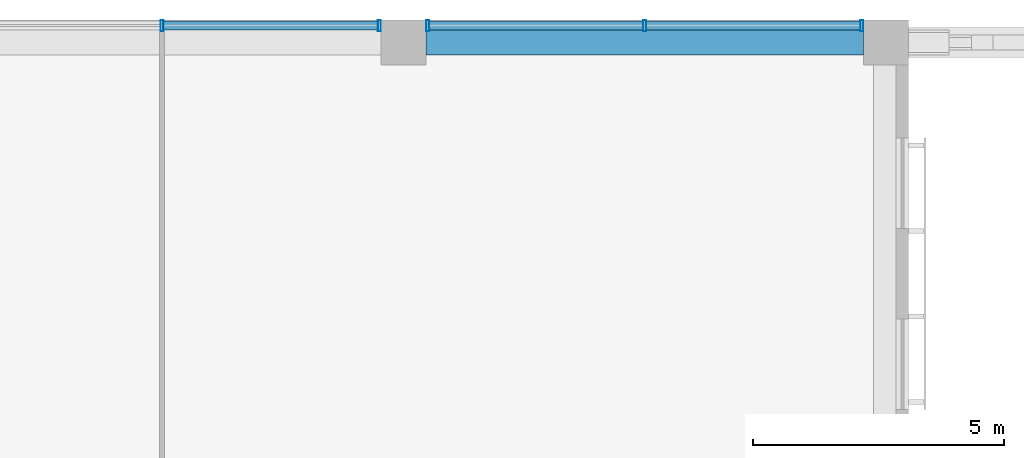
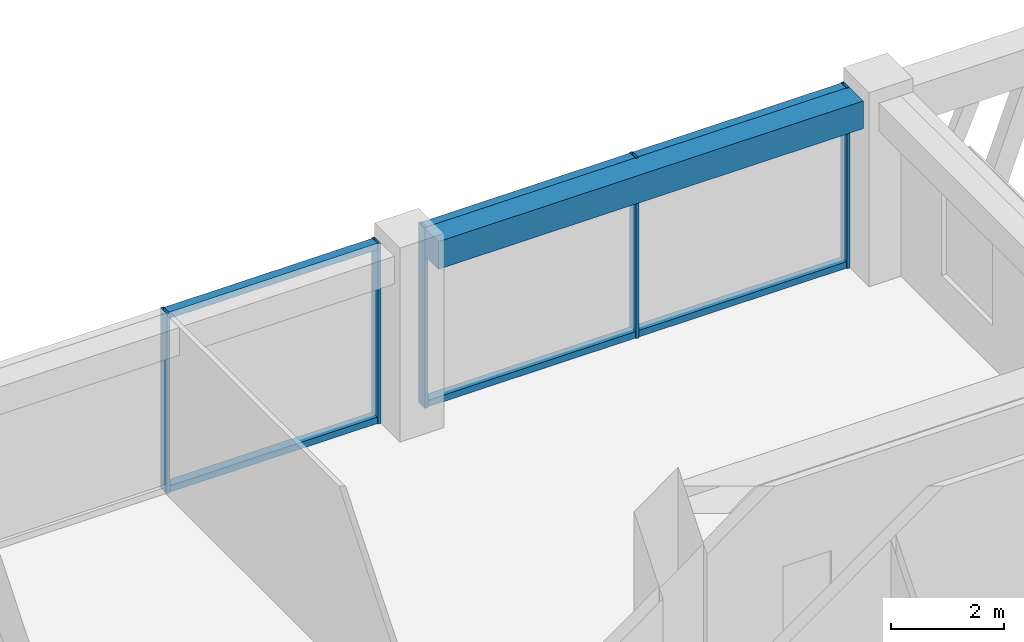
# One storey, part 25 of 38: 11 members, 1 beam, 2 elements without a shape of their own.
"""IFC4 building model written with IfcOpenShell, lengths in metres."""

from ifc_helpers import new_model, si_unit, direction, frame, origin, origin_2d, place, context, subcontext, project, spatial, rectangle, hollow_rectangle, extrude, material, layer, layer_set, material_profile, profile_set, type_object, element, aggregate, save


model = new_model("IFC4")

# Units and contexts
model_context = context("Model", 3, precision=1e-05, world=origin(), true_north=direction((0.0, 1.0)))
body_context = subcontext(model_context, "Body", "Model", "MODEL_VIEW")
ifc_project = project(units=[si_unit("LENGTHUNIT", "METRE"), si_unit("AREAUNIT", "SQUARE_METRE"), si_unit("VOLUMEUNIT", "CUBIC_METRE"), si_unit("PLANEANGLEUNIT", "RADIAN"), si_unit("MASSUNIT", "GRAM", prefix="KILO")], contexts=[model_context])

# Site, building, storey
site_placement = place(None, origin())
site = spatial("IfcSite", under=ifc_project, at=site_placement, CompositionType="ELEMENT")
building_placement = place(site_placement, origin())
building = spatial("IfcBuilding", under=site, at=building_placement, Name="Nzadi Deep Aquarium and Research Tower", CompositionType="ELEMENT")
storey_placement = place(building_placement, frame((0.0, 0.0, 48.699951171875)))
storey = spatial("IfcBuildingStorey", under=building, at=storey_placement, Name="L09", CompositionType="ELEMENT", Elevation=48.699951171875)

# Curtain wall, members
ifc_material_1 = material(Name="Aluminium unitised frame deep", Category="aluminium")
ifc_layer = layer(ifc_material_1, 0.22509765625)
ifc_layer_set = layer_set([ifc_layer], Name="Aluminium unitised frame deep")
curtain_wall_type = type_object("IfcCurtainWallType", Name="Curtain wall Unitised Deep 225", PredefinedType="NOTDEFINED", material=ifc_layer_set)
curtain_wall_1_placement = place(storey_placement, origin())
curtain_wall_1 = element("IfcCurtainWall", 1, at=curtain_wall_1_placement, inside=storey, type_object=curtain_wall_type, Name="Unitised curtain wall blade B north L09", PredefinedType="NOTDEFINED")
ifc_material_2 = material(Name="Aluminium unitised frame deep", Category="aluminium")
ifc_material_profile_1 = material_profile(ifc_material_2, hollow_rectangle(XDim=0.22509765625, YDim=0.06005859375, WallThickness=0.0048828125, at=origin_2d()))
ifc_profile_set_1 = profile_set([ifc_material_profile_1], Name="Aluminium unitised frame deep")
member_type_1 = type_object("IfcMemberType", Name="Mullion 60x225 Unitised Deep", PredefinedType="MULLION", material=ifc_profile_set_1)
member_1_placement = place(storey_placement, frame((33.60009765625, 46.33740234375, 0.0), z_axis=(0.0, 0.0, 1.0), x_axis=(0.0, 1.0, 0.0)))
member_1 = element("IfcMember", 2, at=member_1_placement, type_object=member_type_1, Name="CW126 mullion 2", PredefinedType="MULLION", context=body_context, shape_type="SweptSolid", body=[
    extrude(hollow_rectangle(XDim=0.22509765625, YDim=0.06005859375, WallThickness=0.0048828125, at=origin_2d()), origin(), (0.0, 0.0, 1.0), 3.900146484375),
])
member_2_placement = place(storey_placement, frame((37.919921875, 46.33740234375, 0.0), z_axis=(0.0, 0.0, 1.0), x_axis=(0.0, 1.0, 0.0)))
member_2 = element("IfcMember", 3, at=member_2_placement, type_object=member_type_1, Name="CW126 mullion 3", PredefinedType="MULLION", context=body_context, shape_type="SweptSolid", body=[
    extrude(hollow_rectangle(XDim=0.22509765625, YDim=0.06005859375, WallThickness=0.0048828125, at=origin_2d()), origin(), (0.0, 0.0, 1.0), 3.900146484375),
])

curtain_wall_2_placement = place(storey_placement, origin())
curtain_wall_2 = element("IfcCurtainWall", 4, at=curtain_wall_2_placement, inside=storey, type_object=curtain_wall_type, Name="Unitised curtain wall blade B north L09", PredefinedType="NOTDEFINED")
member_3_placement = place(storey_placement, frame((38.8798828125, 46.33740234375, 0.0), z_axis=(0.0, 0.0, 1.0), x_axis=(0.0, 1.0, 0.0)))
member_3 = element("IfcMember", 5, at=member_3_placement, type_object=member_type_1, Name="CW127 mullion 1", PredefinedType="MULLION", context=body_context, shape_type="SweptSolid", body=[
    extrude(hollow_rectangle(XDim=0.22509765625, YDim=0.06005859375, WallThickness=0.0048828125, at=origin_2d()), origin(), (0.0, 0.0, 1.0), 3.900146484375),
])
member_4_placement = place(storey_placement, frame((43.199951171875, 46.33740234375, 0.0), z_axis=(0.0, 0.0, 1.0), x_axis=(0.0, 1.0, 0.0)))
member_4 = element("IfcMember", 6, at=member_4_placement, type_object=member_type_1, Name="CW127 mullion 2", PredefinedType="MULLION", context=body_context, shape_type="SweptSolid", body=[
    extrude(hollow_rectangle(XDim=0.22509765625, YDim=0.06005859375, WallThickness=0.0048828125, at=origin_2d()), origin(), (0.0, 0.0, 1.0), 3.900146484375),
])
member_5_placement = place(storey_placement, frame((47.52001953125, 46.33740234375, 0.0), z_axis=(0.0, 0.0, 1.0), x_axis=(0.0, 1.0, 0.0)))
member_5 = element("IfcMember", 7, at=member_5_placement, type_object=member_type_1, Name="CW127 mullion 3", PredefinedType="MULLION", context=body_context, shape_type="SweptSolid", body=[
    extrude(hollow_rectangle(XDim=0.22509765625, YDim=0.06005859375, WallThickness=0.0048828125, at=origin_2d()), origin(), (0.0, 0.0, 1.0), 3.900146484375),
])

# Beam
ifc_material_3 = material(Name="Concrete C35/45", Category="concrete")
ifc_material_profile_2 = material_profile(ifc_material_3, rectangle(XDim=0.5, YDim=0.60009765625, at=origin_2d()))
ifc_profile_set_2 = profile_set([ifc_material_profile_2], Name="Concrete C35/45")
beam_type = type_object("IfcBeamType", Name="RC 500x600", PredefinedType="BEAM", material=ifc_profile_set_2)
beam_placement = place(storey_placement, frame((38.85009765625, 46.0, 3.60009765625), z_axis=(1.0, 0.0, 0.0), x_axis=(0.0, 1.0, 0.0)))
element("IfcBeam", 8, at=beam_placement, inside=storey, type_object=beam_type, Name="B-Z1-L09-L6-5", PredefinedType="BEAM", context=body_context, shape_type="SweptSolid", body=[
    extrude(rectangle(XDim=0.5, YDim=0.60009765625, at=origin_2d()), origin(), (0.0, 0.0, 1.0), 8.699951171875),
])

# Member
ifc_material_4 = material(Name="Aluminium unitised frame deep", Category="aluminium")
ifc_material_profile_3 = material_profile(ifc_material_4, hollow_rectangle(XDim=0.179931640625, YDim=0.139892578125, WallThickness=0.0048828125, at=origin_2d()))
ifc_profile_set_3 = profile_set([ifc_material_profile_3], Name="Aluminium unitised frame deep")
member_type_2 = type_object("IfcMemberType", Name="Transom 140x180 Unitised Deep", PredefinedType="MULLION", material=ifc_profile_set_3)
member_6_placement = place(storey_placement, frame((33.6298828125, 46.33740234375, 0.070068359375), z_axis=(1.0, 0.0, 0.0), x_axis=(0.0, 1.0, 0.0)))
member_6 = element("IfcMember", 9, at=member_6_placement, type_object=member_type_2, Name="CW126 transom 2.1", PredefinedType="MULLION", context=body_context, shape_type="SweptSolid", body=[
    extrude(hollow_rectangle(XDim=0.179931640625, YDim=0.139892578125, WallThickness=0.0048828125, at=origin_2d()), origin(), (0.0, 0.0, 1.0), 4.260009765625),
])

member_7_placement = place(storey_placement, frame((33.6298828125, 46.33740234375, 3.830078125), z_axis=(1.0, 0.0, 0.0), x_axis=(0.0, 1.0, 0.0)))
member_7 = element("IfcMember", 10, at=member_7_placement, type_object=member_type_2, Name="CW126 transom 2.2", PredefinedType="MULLION", context=body_context, shape_type="SweptSolid", body=[
    extrude(hollow_rectangle(XDim=0.179931640625, YDim=0.139892578125, WallThickness=0.0048828125, at=origin_2d()), origin(), (0.0, 0.0, 1.0), 4.260009765625),
])

aggregate(curtain_wall_1, [member_1, member_2, member_6, member_7])

member_8_placement = place(storey_placement, frame((38.909912109375, 46.33740234375, 0.070068359375), z_axis=(1.0, 0.0, 0.0), x_axis=(0.0, 1.0, 0.0)))
member_8 = element("IfcMember", 11, at=member_8_placement, type_object=member_type_2, Name="CW127 transom 1.1", PredefinedType="MULLION", context=body_context, shape_type="SweptSolid", body=[
    extrude(hollow_rectangle(XDim=0.179931640625, YDim=0.139892578125, WallThickness=0.0048828125, at=origin_2d()), origin(), (0.0, 0.0, 1.0), 4.260009765625),
])

member_9_placement = place(storey_placement, frame((38.909912109375, 46.33740234375, 3.830078125), z_axis=(1.0, 0.0, 0.0), x_axis=(0.0, 1.0, 0.0)))
member_9 = element("IfcMember", 12, at=member_9_placement, type_object=member_type_2, Name="CW127 transom 1.2", PredefinedType="MULLION", context=body_context, shape_type="SweptSolid", body=[
    extrude(hollow_rectangle(XDim=0.179931640625, YDim=0.139892578125, WallThickness=0.0048828125, at=origin_2d()), origin(), (0.0, 0.0, 1.0), 4.260009765625),
])

member_10_placement = place(storey_placement, frame((43.22998046875, 46.33740234375, 0.070068359375), z_axis=(1.0, 0.0, 0.0), x_axis=(0.0, 1.0, 0.0)))
member_10 = element("IfcMember", 13, at=member_10_placement, type_object=member_type_2, Name="CW127 transom 2.1", PredefinedType="MULLION", context=body_context, shape_type="SweptSolid", body=[
    extrude(hollow_rectangle(XDim=0.179931640625, YDim=0.139892578125, WallThickness=0.0048828125, at=origin_2d()), origin(), (0.0, 0.0, 1.0), 4.260009765625),
])

member_11_placement = place(storey_placement, frame((43.22998046875, 46.33740234375, 3.830078125), z_axis=(1.0, 0.0, 0.0), x_axis=(0.0, 1.0, 0.0)))
member_11 = element("IfcMember", 14, at=member_11_placement, type_object=member_type_2, Name="CW127 transom 2.2", PredefinedType="MULLION", context=body_context, shape_type="SweptSolid", body=[
    extrude(hollow_rectangle(XDim=0.179931640625, YDim=0.139892578125, WallThickness=0.0048828125, at=origin_2d()), origin(), (0.0, 0.0, 1.0), 4.260009765625),
])

aggregate(curtain_wall_2, [member_3, member_4, member_5, member_8, member_9, member_10, member_11])

save(model, "model.ifc")
